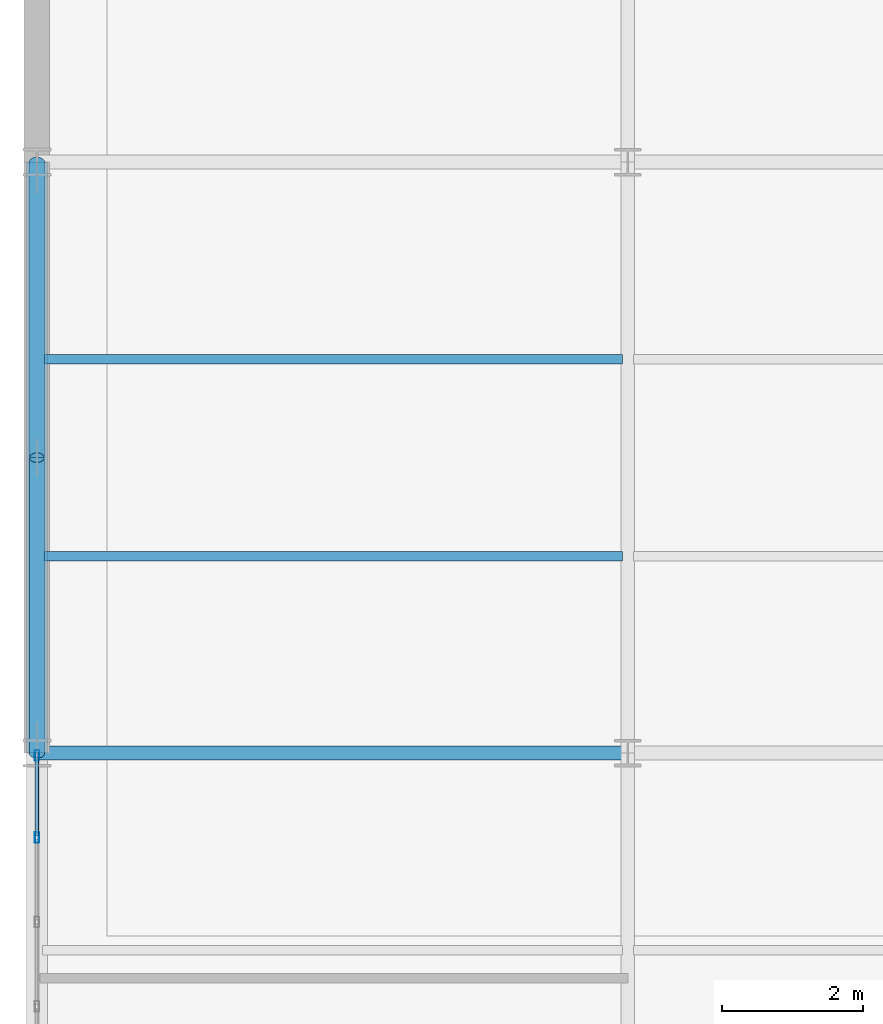
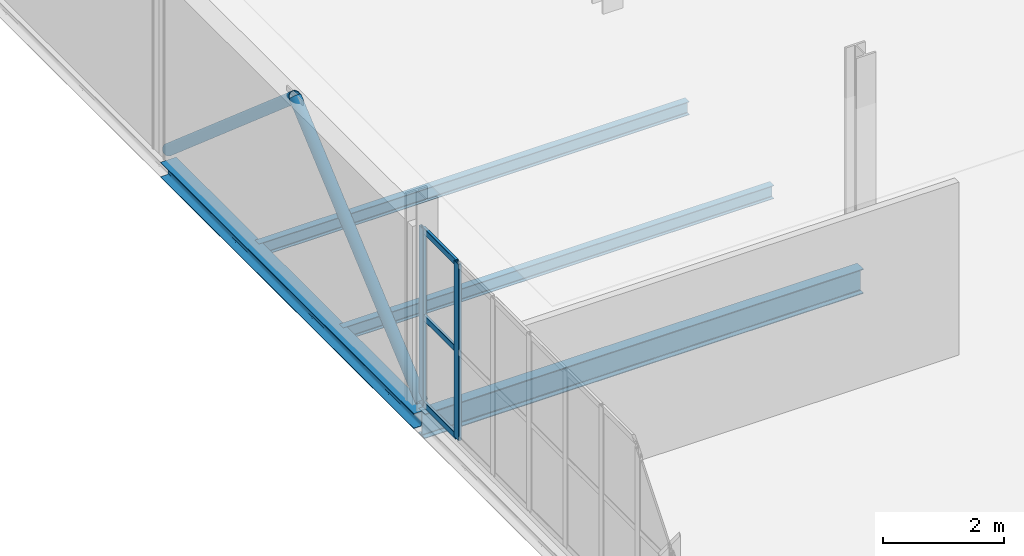
# One storey, part 32 of 163: 7 members, 4 beams, 1 element without a shape of its own.
"""IFC4 building model written with IfcOpenShell, lengths in metres."""

from ifc_helpers import new_model, si_unit, direction, frame, origin, origin_2d, place, context, subcontext, project, spatial, hollow_rectangle, hollow_circle, i_section, extrude, material, layer, layer_set, material_profile, profile_set, type_object, element, aggregate, save


model = new_model("IFC4")

# Units and contexts
model_context = context("Model", 3, precision=1e-05, world=origin(), true_north=direction((0.0, 1.0)))
body_context = subcontext(model_context, "Body", "Model", "MODEL_VIEW")
ifc_project = project(units=[si_unit("LENGTHUNIT", "METRE"), si_unit("AREAUNIT", "SQUARE_METRE"), si_unit("VOLUMEUNIT", "CUBIC_METRE"), si_unit("PLANEANGLEUNIT", "RADIAN"), si_unit("MASSUNIT", "GRAM", prefix="KILO")], contexts=[model_context])

# Site, building, storey
site_placement = place(None, origin())
site = spatial("IfcSite", under=ifc_project, at=site_placement, CompositionType="ELEMENT")
building_placement = place(site_placement, origin())
building = spatial("IfcBuilding", under=site, at=building_placement, Name="Qalvenar Corner Mobility Hub", CompositionType="ELEMENT")
storey_placement = place(building_placement, frame((0.0, 0.0, 4.800048828125)))
storey = spatial("IfcBuildingStorey", under=building, at=storey_placement, Name="L01", CompositionType="ELEMENT", Elevation=4.800048828125)

# Beams
ifc_material_1 = material(Name="Steel S355", Category="steel")
ifc_material_profile_1 = material_profile(ifc_material_1, i_section(OverallWidth=0.199951171875, OverallDepth=0.5, WebThickness=0.01025390625, FlangeThickness=0.01611328125, FilletRadius=0.02099609375, at=origin_2d()), Name="IPE500")
ifc_profile_set_1 = profile_set([ifc_material_profile_1], Name="Steel S355")
beam_type_1 = type_object("IfcBeamType", Name="BM-IPE500", PredefinedType="BEAM", material=ifc_profile_set_1)
beam_1_placement = place(storey_placement, frame((0.0, 25.199951171875, -0.429931640625), z_axis=(1.0, 0.0, 0.0), x_axis=(0.0, 1.0, 0.0)))
element("IfcBeam", 1, at=beam_1_placement, inside=storey, type_object=beam_type_1, Name="Primary Steel Girder GX-0833", PredefinedType="BEAM", context=body_context, shape_type="SweptSolid", body=[
    extrude(i_section(OverallWidth=0.199951171875, OverallDepth=0.5, WebThickness=0.01025390625, FlangeThickness=0.01611328125, FilletRadius=0.02099609375, at=origin_2d()), origin(), (0.0, 0.0, 1.0), 8.39990234375),
])
ifc_material_profile_2 = material_profile(ifc_material_1, i_section(OverallWidth=0.135009765625, OverallDepth=0.27001953125, WebThickness=0.006591796875, FlangeThickness=0.01025390625, FilletRadius=0.014892578125, at=origin_2d()), Name="IPE270")
ifc_profile_set_2 = profile_set([ifc_material_profile_2], Name="Steel S355")
beam_type_2 = type_object("IfcBeamType", Name="BM-JST270", PredefinedType="JOIST", material=ifc_profile_set_2)
for number, where, z_axis, x_axis, name in (
    (2, (0.077880859375, 28.0, -0.31494140625), (1.0, 0.0, 0.0), (0.0, 1.0, 0.0), "Composite Floor Joist J-0893"),
    (3, (0.077880859375, 30.800048828125, -0.31494140625), (1.0, 0.0, 0.0), (0.0, 1.0, 0.0), "Composite Floor Joist J-0894"),
):
    element("IfcBeam", number, at=place(storey_placement, frame(where, z_axis=z_axis, x_axis=x_axis)), inside=storey, type_object=beam_type_2, Name=name, PredefinedType="JOIST", context=body_context, shape_type="SweptSolid", body=[
        extrude(i_section(OverallWidth=0.135009765625, OverallDepth=0.27001953125, WebThickness=0.006591796875, FlangeThickness=0.01025390625, FilletRadius=0.014892578125, at=origin_2d()), origin(), (0.0, 0.0, 1.0), 8.244140625),
    ])
ifc_material_profile_3 = material_profile(ifc_material_1, i_section(OverallWidth=0.300048828125, OverallDepth=0.31005859375, WebThickness=0.009033203125, FlangeThickness=0.015380859375, FilletRadius=0.027099609375, at=origin_2d()), Name="HEA320")
ifc_profile_set_3 = profile_set([ifc_material_profile_3], Name="Steel S355")
beam_type_3 = type_object("IfcBeamType", Name="BM-SPN320", PredefinedType="SPANDREL", material=ifc_profile_set_3)
beam_2_placement = place(storey_placement, frame((0.0, 25.199951171875, -0.3349609375), z_axis=(0.0, 1.0, 0.0), x_axis=(-1.0, 0.0, 0.0)))
element("IfcBeam", 4, at=beam_2_placement, inside=storey, type_object=beam_type_3, Name="Primary Steel Girder GY-0854", PredefinedType="SPANDREL", context=body_context, shape_type="SweptSolid", body=[
    extrude(i_section(OverallWidth=0.300048828125, OverallDepth=0.31005859375, WebThickness=0.009033203125, FlangeThickness=0.015380859375, FilletRadius=0.027099609375, at=origin_2d()), origin(), (0.0, 0.0, 1.0), 8.400146484375),
])

# Members
ifc_material_profile_4 = material_profile(ifc_material_1, hollow_circle(Radius=0.109619140625, WallThickness=0.010009765625, at=origin_2d()), Name="CHS219.1x10")
ifc_profile_set_4 = profile_set([ifc_material_profile_4], Name="Steel S355")
member_type_1 = type_object("IfcMemberType", Name="BR-CHS219", PredefinedType="BRACE", material=ifc_profile_set_4)
member_1_placement = place(storey_placement, frame((0.0, 25.199951171875, 0.02001953125), z_axis=(0.0, 0.757479038629, 0.652859484145), x_axis=(-1.0, 0.0, 0.0)))
element("IfcMember", 5, at=member_1_placement, inside=storey, type_object=member_type_1, Name="Chevron Lateral Brace BR-013", PredefinedType="BRACE", context=body_context, shape_type="SweptSolid", body=[
    extrude(hollow_circle(Radius=0.109619140625, WallThickness=0.010009765625, at=origin_2d()), origin(), (0.0, 0.0, 1.0), 5.544677734375),
])
member_2_placement = place(storey_placement, frame((0.0, 33.60009765625, 0.02001953125), z_axis=(0.0, -0.757497805166, 0.652837709672), x_axis=(1.0, 0.0, 0.0)))
element("IfcMember", 6, at=member_2_placement, inside=storey, type_object=member_type_1, Name="Chevron Lateral Brace BR-014", PredefinedType="BRACE", context=body_context, shape_type="SweptSolid", body=[
    extrude(hollow_circle(Radius=0.109619140625, WallThickness=0.010009765625, at=origin_2d()), origin(), (0.0, 0.0, 1.0), 5.544921875),
])

# Curtain wall, members
ifc_material_2 = material(Name="Anodised Aluminium and Low-E Glazing", Category="aluminium")
ifc_layer = layer(ifc_material_2, 0.14990234375)
ifc_layer_set = layer_set([ifc_layer], Name="Anodised Aluminium and Low-E Glazing")
curtain_wall_type = type_object("IfcCurtainWallType", Name="CW-CIV-84X40", PredefinedType="NOTDEFINED", material=ifc_layer_set)
curtain_wall_placement = place(storey_placement, origin())
curtain_wall = element("IfcCurtainWall", 7, at=curtain_wall_placement, inside=storey, type_object=curtain_wall_type, Name="Glazed Curtain Wall CW-V3-L01-W2", PredefinedType="NOTDEFINED")
ifc_material_3 = material(Name="Anodised Aluminium 6063-T6", Category="aluminium")
ifc_material_profile_5 = material_profile(ifc_material_3, hollow_rectangle(XDim=0.06005859375, YDim=0.14990234375, WallThickness=0.00390625, InnerFilletRadius=0.00390625, OuterFilletRadius=0.008056640625, at=origin_2d()), Name="RHS150x60x4")
ifc_profile_set_5 = profile_set([ifc_material_profile_5], Name="Anodised Aluminium 6063-T6")
member_type_2 = type_object("IfcMemberType", Name="CW-MUL150", PredefinedType="MULLION", material=ifc_profile_set_5)
member_3_placement = place(storey_placement, frame((0.0, 25.169921875, 0.0), z_axis=(0.0, 0.0, 1.0), x_axis=(1.0, 0.0, 0.0)))
member_3 = element("IfcMember", 8, at=member_3_placement, type_object=member_type_2, Name="CW-05 mullion 1", PredefinedType="MULLION", context=body_context, shape_type="SweptSolid", body=[
    extrude(hollow_rectangle(XDim=0.06005859375, YDim=0.14990234375, WallThickness=0.00390625, InnerFilletRadius=0.00390625, OuterFilletRadius=0.008056640625, at=origin_2d()), origin(), (0.0, 0.0, 1.0), 3.570068359375),
])
member_4_placement = place(storey_placement, frame((0.0, 24.0, 0.0), z_axis=(0.0, 0.0, 1.0), x_axis=(1.0, 0.0, 0.0)))
member_4 = element("IfcMember", 9, at=member_4_placement, type_object=member_type_2, Name="CW-05 mullion 2", PredefinedType="MULLION", context=body_context, shape_type="SweptSolid", body=[
    extrude(hollow_rectangle(XDim=0.06005859375, YDim=0.14990234375, WallThickness=0.00390625, InnerFilletRadius=0.00390625, OuterFilletRadius=0.008056640625, at=origin_2d()), origin(), (0.0, 0.0, 1.0), 3.570068359375),
])
ifc_material_profile_6 = material_profile(ifc_material_3, hollow_rectangle(XDim=0.054931640625, YDim=0.1201171875, WallThickness=0.00341796875, InnerFilletRadius=0.00341796875, OuterFilletRadius=0.007080078125, at=origin_2d()), Name="RHS120x55x3.5")
ifc_profile_set_6 = profile_set([ifc_material_profile_6], Name="Anodised Aluminium 6063-T6")
member_type_3 = type_object("IfcMemberType", Name="CW-TRN120", PredefinedType="USERDEFINED", material=ifc_profile_set_6)
member_5_placement = place(storey_placement, frame((0.0, 25.139892578125, 0.02734375), z_axis=(0.0, -1.0, 0.0), x_axis=(1.0, 0.0, 0.0)))
member_5 = element("IfcMember", 10, at=member_5_placement, type_object=member_type_3, Name="CW-05 transom 1.1", ObjectType="TRANSOM", PredefinedType="USERDEFINED", context=body_context, shape_type="SweptSolid", body=[
    extrude(hollow_rectangle(XDim=0.054931640625, YDim=0.1201171875, WallThickness=0.00341796875, InnerFilletRadius=0.00341796875, OuterFilletRadius=0.007080078125, at=origin_2d()), origin(), (0.0, 0.0, 1.0), 1.10986328125),
])
member_6_placement = place(storey_placement, frame((0.0, 25.139892578125, 1.784912109375), z_axis=(0.0, -1.0, 0.0), x_axis=(1.0, 0.0, 0.0)))
member_6 = element("IfcMember", 11, at=member_6_placement, type_object=member_type_3, Name="CW-05 transom 1.2", ObjectType="TRANSOM", PredefinedType="USERDEFINED", context=body_context, shape_type="SweptSolid", body=[
    extrude(hollow_rectangle(XDim=0.054931640625, YDim=0.1201171875, WallThickness=0.00341796875, InnerFilletRadius=0.00341796875, OuterFilletRadius=0.007080078125, at=origin_2d()), origin(), (0.0, 0.0, 1.0), 1.10986328125),
])
member_7_placement = place(storey_placement, frame((0.0, 25.139892578125, 3.54248046875), z_axis=(0.0, -1.0, 0.0), x_axis=(1.0, 0.0, 0.0)))
member_7 = element("IfcMember", 12, at=member_7_placement, type_object=member_type_3, Name="CW-05 transom 1.3", ObjectType="TRANSOM", PredefinedType="USERDEFINED", context=body_context, shape_type="SweptSolid", body=[
    extrude(hollow_rectangle(XDim=0.054931640625, YDim=0.1201171875, WallThickness=0.00341796875, InnerFilletRadius=0.00341796875, OuterFilletRadius=0.007080078125, at=origin_2d()), origin(), (0.0, 0.0, 1.0), 1.10986328125),
])
aggregate(curtain_wall, [member_3, member_4, member_5, member_6, member_7])

save(model, "model.ifc")
